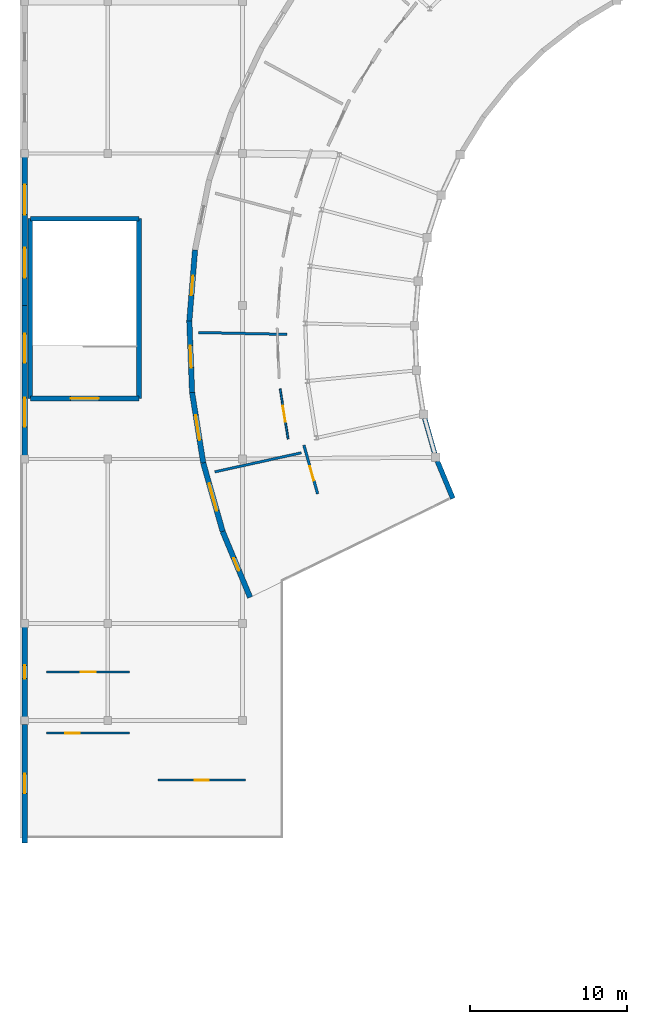
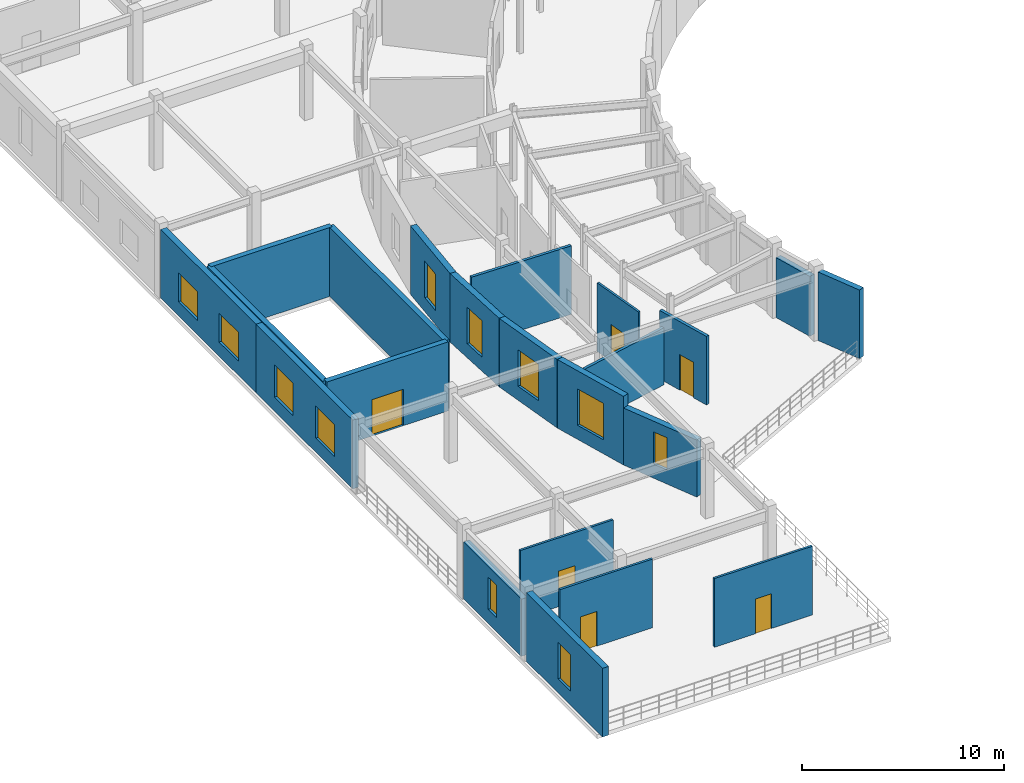
# One storey, part 38 of 60: 22 walls, 11 windows, 6 doors, 17 openings.
"""IFC4 building model written with IfcOpenShell, lengths in metres."""

import ifcopenshell
import ifcopenshell.guid

model = None  # the IFC model being written
_history = None  # IfcOwnerHistory: only IFC2X3 demands one
_inside = {}  # id of a spatial element -> (the spatial element, [elements in it])
_under = {}  # id of a project, library or spatial element -> (it, [spatial elements below it])
_declared = {}  # id of a project -> (the project, [libraries it declares])
_typed = {}  # id of a type object -> (the type object, [elements of that type])
_made_of = {}  # id of a material, layer set ... -> (it, [elements and type objects made of it])


def new_model(schema):
    """Start an empty IFC model of exactly this schema.

    Asked for "IFC4X3", IfcOpenShell would pick the latest addendum, in which some entities
    have other attributes; the version numbers below select the first issue.
    IFC2X3 requires an IfcOwnerHistory on every rooted entity: one is made here for all.
    """
    global model, _history
    if schema == "IFC4X3":
        model = ifcopenshell.file(schema_version=(4, 3, 0, 0))
    else:
        model = ifcopenshell.file(schema=schema)
    _inside.clear()
    _under.clear()
    _declared.clear()
    _typed.clear()
    _made_of.clear()
    _history = None
    if model.schema == "IFC2X3":
        org = make("IfcOrganization", Name="unknown")
        user = make(
            "IfcPersonAndOrganization",
            ThePerson=make("IfcPerson", FamilyName="unknown"),
            TheOrganization=org,
        )
        app = make(
            "IfcApplication",
            ApplicationDeveloper=org,
            Version="unknown",
            ApplicationFullName="unknown",
            ApplicationIdentifier="unknown",
        )
        _history = make(
            "IfcOwnerHistory",
            OwningUser=user,
            OwningApplication=app,
            ChangeAction="ADDED",
            CreationDate=0,
        )
    return model


def make(cls, **values):
    """One entity of the class cls with the attributes given. An attribute that is None is left unset."""
    return model.create_entity(
        cls, **{name: value for name, value in values.items() if value is not None}
    )


def rooted(cls, **values):
    """An entity with a GlobalId (a new one), such as an element, a storey or a relation."""
    return make(cls, GlobalId=ifcopenshell.guid.new(), OwnerHistory=_history, **values)


def si_unit(unit_type, name, prefix=None):
    """IfcSIUnit, for example si_unit("LENGTHUNIT", "METRE", prefix="MILLI")."""
    return make("IfcSIUnit", UnitType=unit_type, Prefix=prefix, Name=name)


def assignment(units):
    """IfcUnitAssignment: the units of a project."""
    return None if units is None else make("IfcUnitAssignment", Units=units)


def point(xyz):
    """IfcCartesianPoint."""
    return None if xyz is None else make("IfcCartesianPoint", Coordinates=xyz)


def direction(xyz):
    """IfcDirection."""
    return None if xyz is None else make("IfcDirection", DirectionRatios=xyz)


def frame(location, z_axis=None, x_axis=None):
    """IfcAxis2Placement3D, a coordinate frame: its origin and axes. An axis left out is left unset."""
    return make(
        "IfcAxis2Placement3D",
        Location=point(location),
        Axis=direction(z_axis),
        RefDirection=direction(x_axis),
    )


def frame_2d(location, x_axis=None):
    """IfcAxis2Placement2D, a coordinate frame in the plane: its origin and x axis."""
    return make(
        "IfcAxis2Placement2D", Location=point(location), RefDirection=direction(x_axis)
    )


def origin():
    """The frame at (0, 0, 0) with its axes left unset."""
    return frame((0.0, 0.0, 0.0))


def place(relative_to, where):
    """IfcLocalPlacement: puts the frame where relative to a parent placement (None: the world)."""
    return make(
        "IfcLocalPlacement", PlacementRelTo=relative_to, RelativePlacement=where
    )


def context(
    kind, dimensions, precision=None, world=None, true_north=None, identifier=None
):
    """IfcGeometricRepresentationContext, for example the 3D "Model" context."""
    return make(
        "IfcGeometricRepresentationContext",
        ContextIdentifier=identifier,
        ContextType=kind,
        CoordinateSpaceDimension=dimensions,
        Precision=precision,
        WorldCoordinateSystem=world,
        TrueNorth=true_north,
    )


def subcontext(parent, identifier, kind, view, scale=None):
    """IfcGeometricRepresentationSubContext, for example "Body" below "Model"."""
    return make(
        "IfcGeometricRepresentationSubContext",
        ContextIdentifier=identifier,
        ContextType=kind,
        ParentContext=parent,
        TargetScale=scale,
        TargetView=view,
    )


def project(units=None, contexts=None):
    """IfcProject with its units and contexts."""
    return rooted(
        "IfcProject",
        Name="project",
        RepresentationContexts=contexts,
        UnitsInContext=assignment(units),
    )


def spatial(cls, under=None, at=None, **own):
    """A site, building, storey or space (cls), placed at a placement, below another one or the project."""
    s = rooted(cls, ObjectPlacement=at, **own)
    if under is not None:
        _under.setdefault(under.id(), (under, []))[1].append(s)
    return s


def profile(cls, at=None, kind="AREA", **sizes):
    """A parametric profile (cls). Its sizes go by their IFC names, for example OverallWidth=200.0."""
    return make(cls, ProfileType=kind, Position=at, **sizes)


def rectangle(**sizes):
    """IfcRectangleProfileDef."""
    return profile("IfcRectangleProfileDef", **sizes)


def extrude(swept, where, along, depth):
    """IfcExtrudedAreaSolid: the profile swept, set in the frame where, extruded along a direction by depth."""
    return make(
        "IfcExtrudedAreaSolid",
        SweptArea=swept,
        Position=where,
        ExtrudedDirection=direction(along),
        Depth=depth,
    )


def shape(context_of_items, identifier, shape_type, items):
    """IfcShapeRepresentation: the items that make up one representation, for example the "Body"."""
    return make(
        "IfcShapeRepresentation",
        ContextOfItems=context_of_items,
        RepresentationIdentifier=identifier,
        RepresentationType=shape_type,
        Items=items,
    )


def material(Name=None, Category=None):
    """IfcMaterial."""
    return make("IfcMaterial", Name=Name, Category=Category)


def layer(
    of_material, thickness, ventilated=None, Name=None, Category=None, Priority=None
):
    """IfcMaterialLayer: one layer of a wall or slab, of a material (None: an air gap)."""
    return make(
        "IfcMaterialLayer",
        Material=of_material,
        LayerThickness=thickness,
        IsVentilated=ventilated,
        Name=Name,
        Category=Category,
        Priority=Priority,
    )


def layer_set(layers, Name=None):
    """IfcMaterialLayerSet."""
    return make("IfcMaterialLayerSet", MaterialLayers=layers, LayerSetName=Name)


def made_of(thing, what):
    """Note that an element or type object is made of a material, layer set ...; save() writes the relation."""
    if what is not None:
        _made_of.setdefault(what.id(), (what, []))[1].append(thing)
    return thing


def type_object(cls, material=None, **own):
    """A type object (cls), such as IfcWallType, which elements share."""
    return made_of(rooted(cls, **own), material)


def element(
    cls,
    number,
    at=None,
    inside=None,
    cuts=None,
    type_object=None,
    material=None,
    context=None,
    identifier="Body",
    shape_type=None,
    held_by="IfcProductDefinitionShape",
    body=None,
    shapes=None,
    **own,
):
    """One element of the class cls, such as IfcWall. Its Tag is "e" and its number.

    at: its placement. inside: the storey or other place that contains it. cuts: it is an
    opening in that element (IfcRelVoidsElement). A single representation is given by context,
    identifier, shape_type and body (its items); several are given by shapes. held_by: the class
    of the entity that holds the representations. save() writes the other relations.
    """
    e = rooted(cls, Tag="e%d" % number, ObjectPlacement=at, **own)
    if body is not None:
        shapes = [shape(context, identifier, shape_type, body)]
    if shapes is not None:
        e.Representation = make(held_by, Representations=shapes)
    if inside is not None:
        _inside.setdefault(inside.id(), (inside, []))[1].append(e)
    if cuts is not None:
        rooted(
            "IfcRelVoidsElement", RelatingBuildingElement=cuts, RelatedOpeningElement=e
        )
    if type_object is not None:
        _typed.setdefault(type_object.id(), (type_object, []))[1].append(e)
    return made_of(e, material)


def fill(opening, filler):
    """IfcRelFillsElement: the door or window that sits in an opening."""
    return rooted(
        "IfcRelFillsElement",
        RelatingOpeningElement=opening,
        RelatedBuildingElement=filler,
    )


def aggregate(whole, parts):
    """IfcRelAggregates: a whole, such as a stair, and the parts it consists of."""
    return rooted("IfcRelAggregates", RelatingObject=whole, RelatedObjects=parts)


def save(model, path):
    """Write the relations noted so far, then the file.

    IfcRelAggregates (storeys below a building ...), IfcRelContainedInSpatialStructure (elements
    in a storey), IfcRelDefinesByType, IfcRelAssociatesMaterial and IfcRelDeclares: one each for
    every whole, place, type object, material and project.
    """
    for whole, parts in _under.values():
        aggregate(whole, parts)
    for where, things in _inside.values():
        rooted(
            "IfcRelContainedInSpatialStructure",
            RelatedElements=things,
            RelatingStructure=where,
        )
    for kind, things in _typed.values():
        rooted("IfcRelDefinesByType", RelatedObjects=things, RelatingType=kind)
    for what, things in _made_of.values():
        rooted("IfcRelAssociatesMaterial", RelatedObjects=things, RelatingMaterial=what)
    for by, libraries in _declared.values():
        rooted("IfcRelDeclares", RelatingContext=by, RelatedDefinitions=libraries)
    model.write(path)


model = new_model("IFC4")

# Units and contexts
model_context = context("Model", 3, precision=1e-05, world=origin(), true_north=direction((0.0, 1.0)))
body_context = subcontext(model_context, "Body", "Model", "MODEL_VIEW")
ifc_project = project(units=[si_unit("LENGTHUNIT", "METRE"), si_unit("AREAUNIT", "SQUARE_METRE"), si_unit("VOLUMEUNIT", "CUBIC_METRE"), si_unit("PLANEANGLEUNIT", "RADIAN"), si_unit("MASSUNIT", "GRAM", prefix="KILO")], contexts=[model_context])

# Site, building, storey
site_placement = place(None, origin())
site = spatial("IfcSite", under=ifc_project, at=site_placement, CompositionType="ELEMENT")
building_placement = place(site_placement, origin())
building = spatial("IfcBuilding", under=site, at=building_placement, Name="Cinderbank Siding Concert Hall", CompositionType="ELEMENT")
storey_placement = place(building_placement, frame((0.0, 0.0, 14.699951171875)))
storey = spatial("IfcBuildingStorey", under=building, at=storey_placement, Name="L04", CompositionType="ELEMENT", Elevation=14.699951171875)

# Wall, opening, door
ifc_material_1 = material(Name="Reinforced concrete AS 3600 N50 (50 MPa)", Category="concrete")
ifc_layer_1 = layer(ifc_material_1, 0.300048828125)
ifc_layer_set_1 = layer_set([ifc_layer_1], Name="Reinforced concrete AS 3600 N50 (50 MPa)")
wall_type_1 = type_object("IfcWallType", Name="WL-03 Structural Wall 300mm", PredefinedType="SHEAR", material=ifc_layer_set_1)
wall_1_placement = place(storey_placement, frame((14.39990234375, 63.860107421875, 0.0), z_axis=(0.0, 0.0, 1.0), x_axis=(-1.0, 0.0, 0.0)))
wall_1 = element("IfcWall", 1, at=wall_1_placement, inside=storey, type_object=wall_type_1, Name="L04 ST-09 Core Wall ENTRY", PredefinedType="SHEAR", context=body_context, shape_type="SweptSolid", body=[
    extrude(rectangle(XDim=6.93994140625, YDim=0.300048828125, at=frame_2d((3.469970703125, 0.0))), origin(), (0.0, 0.0, 1.0), 4.170166015625),
])
opening_1_placement = place(wall_1_placement, frame((2.570068359375, 0.0, 0.0)))
opening_1 = element("IfcOpeningElement", 2, at=opening_1_placement, cuts=wall_1, Name="Opening D-05", PredefinedType="OPENING", context=body_context, shape_type="SweptSolid", body=[
    extrude(rectangle(XDim=1.800048828125, YDim=2.199951171875, at=frame_2d((0.89990234375, 1.10009765625))), frame((0.0, 0.162109375, 0.0), z_axis=(0.0, -1.0, 0.0), x_axis=(1.0, 0.0, 0.0)), (0.0, 0.0, 1.0), 0.323974609375),
])
ifc_material_2 = material(Name="Galvanised sheet steel acoustic fire door assembly", Category="steel")
door_type_1 = type_object("IfcDoorType", Name="D-05 Interior Door 1800x2200", OperationType="DOUBLE_DOOR_SINGLE_SWING", PredefinedType="DOOR", material=ifc_material_2)
door_1_placement = place(opening_1_placement, origin())
door_1 = element("IfcDoor", 3, at=door_1_placement, inside=storey, type_object=door_type_1, Name="L04 ST-09 Fire Stair Door L04-D050", OperationType="DOUBLE_DOOR_SINGLE_SWING", OverallHeight=2.199951171875, OverallWidth=1.800048828125, PredefinedType="DOOR", context=body_context, shape_type="SweptSolid", body=[
    extrude(rectangle(XDim=1.800048828125, YDim=2.199951171875, at=frame_2d((0.89990234375, 1.10009765625))), frame((0.0, 0.02490234375, 0.0), z_axis=(0.0, -1.0, 0.0), x_axis=(1.0, 0.0, 0.0)), (0.0, 0.0, 1.0), 0.050048828125),
])
fill(opening_1, door_1)

# Walls
wall_2_placement = place(storey_placement, frame((7.4599609375, 75.340087890625, 0.0), z_axis=(0.0, 0.0, 1.0), x_axis=(1.0, 0.0, 0.0)))
element("IfcWall", 4, at=wall_2_placement, inside=storey, type_object=wall_type_1, Name="L04 ST-09 Core Wall FAR", PredefinedType="SHEAR", context=body_context, shape_type="SweptSolid", body=[
    extrude(rectangle(XDim=6.93994140625, YDim=0.300048828125, at=frame_2d((3.469970703125, 0.0))), origin(), (0.0, 0.0, 1.0), 4.170166015625),
])
for number, where, z_axis, x_axis, name in (
    (5, (14.39990234375, 75.340087890625, 0.0), (0.0, 0.0, 1.0), (0.0, -1.0, 0.0), "L04 ST-09 Core Wall SIDE1"),
    (6, (7.4599609375, 63.860107421875, 0.0), (0.0, 0.0, 1.0), (0.0, 1.0, 0.0), "L04 ST-09 Core Wall SIDE2"),
):
    element("IfcWall", number, at=place(storey_placement, frame(where, z_axis=z_axis, x_axis=x_axis)), inside=storey, type_object=wall_type_1, Name=name, PredefinedType="SHEAR", context=body_context, shape_type="SweptSolid", body=[
        extrude(rectangle(XDim=11.47998046875, YDim=0.300048828125, at=frame_2d((5.739990234375, 0.0))), origin(), (0.0, 0.0, 1.0), 4.170166015625),
    ])

# Wall, opening, window
ifc_material_3 = material(Name="Clinker clay brickwork masonry AS 3700 (20 MPa)", Category="masonry")
ifc_layer_2 = layer(ifc_material_3, 0.340087890625)
ifc_layer_set_2 = layer_set([ifc_layer_2], Name="Clinker clay brickwork masonry AS 3700 (20 MPa)")
wall_type_2 = type_object("IfcWallType", Name="WL-07 Exterior Wall 340mm", PredefinedType="STANDARD", material=ifc_layer_set_2)
wall_3_placement = place(storey_placement, frame((17.9736328125, 73.34423828125, 0.0), z_axis=(0.0, 0.0, 1.0), x_axis=(-0.080188345633, -0.996779729541, 0.0)))
wall_3 = element("IfcWall", 7, at=wall_3_placement, inside=storey, type_object=wall_type_2, Name="L04 Facade Wall EW-WOUT-L04-11", PredefinedType="STANDARD", context=body_context, shape_type="SweptSolid", body=[
    extrude(rectangle(XDim=4.5546875, YDim=0.340087890625, at=frame_2d((2.27734375, 0.0))), origin(), (0.0, 0.0, 1.0), 4.14501953125),
])
opening_2_placement = place(wall_3_placement, frame((1.65234375, 0.0, 0.85009765625)))
opening_2 = element("IfcOpeningElement", 8, at=opening_2_placement, cuts=wall_3, Name="Opening WN-05", PredefinedType="OPENING", context=body_context, shape_type="SweptSolid", body=[
    extrude(rectangle(XDim=1.25, YDim=2.199951171875, at=frame_2d((0.625, 1.10009765625))), frame((0.0, 0.18212890625, 0.0), z_axis=(0.0, -1.0, 0.0), x_axis=(1.0, 0.0, 0.0)), (0.0, 0.0, 1.0), 0.364013671875),
])
ifc_material_4 = material(Name="Double-glazed laminated acoustic glass", Category="glass")
window_type_1 = type_object("IfcWindowType", Name="WN-05 Acoustic Casement Window 1250x2200", PartitioningType="DOUBLE_PANEL_VERTICAL", PredefinedType="WINDOW", material=ifc_material_4)
window_1_placement = place(opening_2_placement, origin())
window_1 = element("IfcWindow", 9, at=window_1_placement, inside=storey, type_object=window_type_1, Name="L04 Facade Window #51", OverallHeight=2.199951171875, OverallWidth=1.25, PartitioningType="DOUBLE_PANEL_VERTICAL", PredefinedType="WINDOW", context=body_context, shape_type="SweptSolid", body=[
    extrude(rectangle(XDim=1.25, YDim=2.199951171875, at=frame_2d((0.625, 1.10009765625))), frame((0.0, 0.030029296875, 0.0), z_axis=(0.0, -1.0, 0.0), x_axis=(1.0, 0.0, 0.0)), (0.0, 0.0, 1.0), 0.06005859375),
])
fill(opening_2, window_1)

wall_4_placement = place(storey_placement, frame((17.6083984375, 68.80419921875, 0.0), z_axis=(0.0, 0.0, 1.0), x_axis=(0.038377542804, -0.999263310749, 0.0)))
wall_4 = element("IfcWall", 10, at=wall_4_placement, inside=storey, type_object=wall_type_2, Name="L04 Facade Wall EW-WOUT-L04-12", PredefinedType="STANDARD", context=body_context, shape_type="SweptSolid", body=[
    extrude(rectangle(XDim=4.554931640625, YDim=0.340087890625, at=frame_2d((2.27734375, 0.0))), origin(), (0.0, 0.0, 1.0), 4.14501953125),
])
opening_3_placement = place(wall_4_placement, frame((1.577392578125, 0.0, 0.85009765625)))
opening_3 = element("IfcOpeningElement", 11, at=opening_3_placement, cuts=wall_4, Name="Opening WN-06", PredefinedType="OPENING", context=body_context, shape_type="SweptSolid", body=[
    extrude(rectangle(XDim=1.39990234375, YDim=2.199951171875, at=frame_2d((0.699951171875, 1.10009765625))), frame((0.0, 0.18212890625, 0.0), z_axis=(0.0, -1.0, 0.0), x_axis=(1.0, 0.0, 0.0)), (0.0, 0.0, 1.0), 0.364013671875),
])
window_type_2 = type_object("IfcWindowType", Name="WN-06 Acoustic Casement Window 1400x2200", PartitioningType="DOUBLE_PANEL_VERTICAL", PredefinedType="WINDOW", material=ifc_material_4)
window_2_placement = place(opening_3_placement, origin())
window_2 = element("IfcWindow", 12, at=window_2_placement, inside=storey, type_object=window_type_2, Name="L04 Facade Window #52", OverallHeight=2.199951171875, OverallWidth=1.39990234375, PartitioningType="DOUBLE_PANEL_VERTICAL", PredefinedType="WINDOW", context=body_context, shape_type="SweptSolid", body=[
    extrude(rectangle(XDim=1.39990234375, YDim=2.199951171875, at=frame_2d((0.699951171875, 1.10009765625))), frame((0.0, 0.030029296875, 0.0), z_axis=(0.0, -1.0, 0.0), x_axis=(1.0, 0.0, 0.0)), (0.0, 0.0, 1.0), 0.06005859375),
])
fill(opening_3, window_2)

wall_5_placement = place(storey_placement, frame((17.783203125, 64.252685546875, 0.0), z_axis=(0.0, 0.0, 1.0), x_axis=(0.156466273676, -0.987683302077, 0.0)))
wall_5 = element("IfcWall", 13, at=wall_5_placement, inside=storey, type_object=wall_type_2, Name="L04 Facade Wall EW-WOUT-L04-13", PredefinedType="STANDARD", context=body_context, shape_type="SweptSolid", body=[
    extrude(rectangle(XDim=4.5546875, YDim=0.340087890625, at=frame_2d((2.27734375, 0.0))), origin(), (0.0, 0.0, 1.0), 4.14501953125),
])
opening_4_placement = place(wall_5_placement, frame((1.477294921875, 0.0, 0.85009765625)))
opening_4 = element("IfcOpeningElement", 14, at=opening_4_placement, cuts=wall_5, Name="Opening WN-07", PredefinedType="OPENING", context=body_context, shape_type="SweptSolid", body=[
    extrude(rectangle(XDim=1.60009765625, YDim=2.199951171875, at=frame_2d((0.800048828125, 1.10009765625))), frame((0.0, 0.18212890625, 0.0), z_axis=(0.0, -1.0, 0.0), x_axis=(1.0, 0.0, 0.0)), (0.0, 0.0, 1.0), 0.364013671875),
])
window_type_3 = type_object("IfcWindowType", Name="WN-07 Acoustic Casement Window 1600x2200", PartitioningType="DOUBLE_PANEL_VERTICAL", PredefinedType="WINDOW", material=ifc_material_4)
window_3_placement = place(opening_4_placement, origin())
window_3 = element("IfcWindow", 15, at=window_3_placement, inside=storey, type_object=window_type_3, Name="L04 Facade Window #53", OverallHeight=2.199951171875, OverallWidth=1.60009765625, PartitioningType="DOUBLE_PANEL_VERTICAL", PredefinedType="WINDOW", context=body_context, shape_type="SweptSolid", body=[
    extrude(rectangle(XDim=1.60009765625, YDim=2.199951171875, at=frame_2d((0.800048828125, 1.10009765625))), frame((0.0, 0.030029296875, 0.0), z_axis=(0.0, -1.0, 0.0), x_axis=(1.0, 0.0, 0.0)), (0.0, 0.0, 1.0), 0.06005859375),
])
fill(opening_4, window_3)

wall_6_placement = place(storey_placement, frame((18.495849609375, 59.754150390625, 0.0), z_axis=(0.0, 0.0, 1.0), x_axis=(0.272249427892, -0.962226713936, 0.0)))
wall_6 = element("IfcWall", 16, at=wall_6_placement, inside=storey, type_object=wall_type_2, Name="L04 Facade Wall EW-WOUT-L04-14", PredefinedType="STANDARD", context=body_context, shape_type="SweptSolid", body=[
    extrude(rectangle(XDim=4.5546875, YDim=0.340087890625, at=frame_2d((2.27734375, 0.0))), origin(), (0.0, 0.0, 1.0), 4.14501953125),
])
opening_5_placement = place(wall_6_placement, frame((1.37744140625, 0.0, 0.85009765625)))
opening_5 = element("IfcOpeningElement", 17, at=opening_5_placement, cuts=wall_6, Name="Opening WN-08", PredefinedType="OPENING", context=body_context, shape_type="SweptSolid", body=[
    extrude(rectangle(XDim=1.800048828125, YDim=2.199951171875, at=frame_2d((0.89990234375, 1.10009765625))), frame((0.0, 0.18212890625, 0.0), z_axis=(0.0, -1.0, 0.0), x_axis=(1.0, 0.0, 0.0)), (0.0, 0.0, 1.0), 0.364013671875),
])
window_type_4 = type_object("IfcWindowType", Name="WN-08 Acoustic Casement Window 1800x2200", PartitioningType="DOUBLE_PANEL_VERTICAL", PredefinedType="WINDOW", material=ifc_material_4)
window_4_placement = place(opening_5_placement, origin())
window_4 = element("IfcWindow", 18, at=window_4_placement, inside=storey, type_object=window_type_4, Name="L04 Facade Window #54", OverallHeight=2.199951171875, OverallWidth=1.800048828125, PartitioningType="DOUBLE_PANEL_VERTICAL", PredefinedType="WINDOW", context=body_context, shape_type="SweptSolid", body=[
    extrude(rectangle(XDim=1.800048828125, YDim=2.199951171875, at=frame_2d((0.89990234375, 1.10009765625))), frame((0.0, 0.030029296875, 0.0), z_axis=(0.0, -1.0, 0.0), x_axis=(1.0, 0.0, 0.0)), (0.0, 0.0, 1.0), 0.06005859375),
])
fill(opening_5, window_4)

wall_7_placement = place(storey_placement, frame((19.73583984375, 55.37158203125, 0.0), z_axis=(0.0, 0.0, 1.0), x_axis=(0.384310891198, -0.923203736402, 0.0)))
wall_7 = element("IfcWall", 19, at=wall_7_placement, inside=storey, type_object=wall_type_2, Name="L04 Facade Wall EW-WOUT-L04-15", PredefinedType="STANDARD", context=body_context, shape_type="SweptSolid", body=[
    extrude(rectangle(XDim=4.554931640625, YDim=0.340087890625, at=frame_2d((2.27734375, 0.0))), origin(), (0.0, 0.0, 1.0), 3.447021484375),
])
opening_6_placement = place(wall_7_placement, frame((1.852294921875, 0.0, 0.85009765625)))
opening_6 = element("IfcOpeningElement", 20, at=opening_6_placement, cuts=wall_7, Name="Opening WN-09", PredefinedType="OPENING", context=body_context, shape_type="SweptSolid", body=[
    extrude(rectangle(XDim=0.85009765625, YDim=1.949951171875, at=frame_2d((0.425048828125, 0.97509765625))), frame((0.0, 0.18212890625, 0.0), z_axis=(0.0, -1.0, 0.0), x_axis=(1.0, 0.0, 0.0)), (0.0, 0.0, 1.0), 0.364013671875),
])
window_type_5 = type_object("IfcWindowType", Name="WN-09 Acoustic Casement Window 850x1950", PartitioningType="DOUBLE_PANEL_VERTICAL", PredefinedType="WINDOW", material=ifc_material_4)
window_5_placement = place(opening_6_placement, origin())
window_5 = element("IfcWindow", 21, at=window_5_placement, inside=storey, type_object=window_type_5, Name="L04 Facade Window #55", OverallHeight=1.949951171875, OverallWidth=0.85009765625, PartitioningType="DOUBLE_PANEL_VERTICAL", PredefinedType="WINDOW", context=body_context, shape_type="SweptSolid", body=[
    extrude(rectangle(XDim=0.85009765625, YDim=1.949951171875, at=frame_2d((0.425048828125, 0.97509765625))), frame((0.0, 0.030029296875, 0.0), z_axis=(0.0, -1.0, 0.0), x_axis=(1.0, 0.0, 0.0)), (0.0, 0.0, 1.0), 0.06005859375),
])
fill(opening_6, window_5)

wall_8_placement = place(storey_placement, frame((7.10009765625, 35.5, 0.0), z_axis=(0.0, 0.0, 1.0), x_axis=(0.0, 1.0, 0.0)))
wall_8 = element("IfcWall", 22, at=wall_8_placement, inside=storey, type_object=wall_type_2, Name="L04 Facade Wall EW-WL-W0-L04", PredefinedType="STANDARD", context=body_context, shape_type="SweptSolid", body=[
    extrude(rectangle(XDim=7.56494140625, YDim=0.340087890625, at=frame_2d((3.782470703125, 0.0))), origin(), (0.0, 0.0, 1.0), 4.155029296875),
])
opening_7_placement = place(wall_8_placement, frame((3.157470703125, 0.0, 0.85009765625)))
opening_7 = element("IfcOpeningElement", 23, at=opening_7_placement, cuts=wall_8, Name="Opening WN-05", PredefinedType="OPENING", context=body_context, shape_type="SweptSolid", body=[
    extrude(rectangle(XDim=1.25, YDim=2.199951171875, at=frame_2d((0.625, 1.10009765625))), frame((0.0, 0.18212890625, 0.0), z_axis=(0.0, -1.0, 0.0), x_axis=(1.0, 0.0, 0.0)), (0.0, 0.0, 1.0), 0.364013671875),
])
window_6_placement = place(opening_7_placement, origin())
window_6 = element("IfcWindow", 24, at=window_6_placement, inside=storey, type_object=window_type_1, Name="L04 Facade Window #83", OverallHeight=2.199951171875, OverallWidth=1.25, PartitioningType="DOUBLE_PANEL_VERTICAL", PredefinedType="WINDOW", context=body_context, shape_type="SweptSolid", body=[
    extrude(rectangle(XDim=1.25, YDim=2.199951171875, at=frame_2d((0.625, 1.10009765625))), frame((0.0, 0.030029296875, 0.0), z_axis=(0.0, -1.0, 0.0), x_axis=(1.0, 0.0, 0.0)), (0.0, 0.0, 1.0), 0.06005859375),
])
fill(opening_7, window_6)

wall_9_placement = place(storey_placement, frame((7.10009765625, 43.534912109375, 0.0), z_axis=(0.0, 0.0, 1.0), x_axis=(0.0, 1.0, 0.0)))
wall_9 = element("IfcWall", 25, at=wall_9_placement, inside=storey, type_object=wall_type_2, Name="L04 Facade Wall EW-WL-W1-L04", PredefinedType="STANDARD", context=body_context, shape_type="SweptSolid", body=[
    extrude(rectangle(XDim=5.72998046875, YDim=0.340087890625, at=frame_2d((2.864990234375, 0.0))), origin(), (0.0, 0.0, 1.0), 3.45703125),
])
opening_8_placement = place(wall_9_placement, frame((2.43994140625, 0.0, 0.85009765625)))
opening_8 = element("IfcOpeningElement", 26, at=opening_8_placement, cuts=wall_9, Name="Opening WN-09", PredefinedType="OPENING", context=body_context, shape_type="SweptSolid", body=[
    extrude(rectangle(XDim=0.85009765625, YDim=1.949951171875, at=frame_2d((0.425048828125, 0.97509765625))), frame((0.0, 0.18212890625, 0.0), z_axis=(0.0, -1.0, 0.0), x_axis=(1.0, 0.0, 0.0)), (0.0, 0.0, 1.0), 0.364013671875),
])
window_7_placement = place(opening_8_placement, origin())
window_7 = element("IfcWindow", 27, at=window_7_placement, inside=storey, type_object=window_type_5, Name="L04 Facade Window #87", OverallHeight=1.949951171875, OverallWidth=0.85009765625, PartitioningType="DOUBLE_PANEL_VERTICAL", PredefinedType="WINDOW", context=body_context, shape_type="SweptSolid", body=[
    extrude(rectangle(XDim=0.85009765625, YDim=1.949951171875, at=frame_2d((0.425048828125, 0.97509765625))), frame((0.0, 0.030029296875, 0.0), z_axis=(0.0, -1.0, 0.0), x_axis=(1.0, 0.0, 0.0)), (0.0, 0.0, 1.0), 0.06005859375),
])
fill(opening_8, window_7)

# Wall, openings, windows
wall_10_placement = place(storey_placement, frame((7.10009765625, 60.235107421875, 0.0), z_axis=(0.0, 0.0, 1.0), x_axis=(0.0, 1.0, 0.0)))
wall_10 = element("IfcWall", 28, at=wall_10_placement, inside=storey, type_object=wall_type_2, Name="L04 Facade Wall EW-WL-W2-L04", PredefinedType="STANDARD", context=body_context, shape_type="SweptSolid", body=[
    extrude(rectangle(XDim=9.56494140625, YDim=0.340087890625, at=frame_2d((4.782470703125, 0.0))), origin(), (0.0, 0.0, 1.0), 4.155029296875),
])
opening_9_placement = place(wall_10_placement, frame((1.816162109375, 0.0, 0.85009765625)))
opening_9 = element("IfcOpeningElement", 29, at=opening_9_placement, cuts=wall_10, Name="Opening WN-16", PredefinedType="OPENING", context=body_context, shape_type="SweptSolid", body=[
    extrude(rectangle(XDim=1.85009765625, YDim=1.949951171875, at=frame_2d((0.925048828125, 0.97509765625))), frame((0.0, 0.18212890625, 0.0), z_axis=(0.0, -1.0, 0.0), x_axis=(1.0, 0.0, 0.0)), (0.0, 0.0, 1.0), 0.364013671875),
])
opening_10_placement = place(wall_10_placement, frame((5.898681640625, 0.0, 0.85009765625)))
opening_10 = element("IfcOpeningElement", 30, at=opening_10_placement, cuts=wall_10, Name="Opening WN-16", PredefinedType="OPENING", context=body_context, shape_type="SweptSolid", body=[
    extrude(rectangle(XDim=1.85009765625, YDim=1.949951171875, at=frame_2d((0.925048828125, 0.97509765625))), frame((0.0, 0.18212890625, 0.0), z_axis=(0.0, -1.0, 0.0), x_axis=(1.0, 0.0, 0.0)), (0.0, 0.0, 1.0), 0.364013671875),
])
window_type_6 = type_object("IfcWindowType", Name="WN-16 Acoustic Casement Window 1850x1950", PartitioningType="DOUBLE_PANEL_VERTICAL", PredefinedType="WINDOW", material=ifc_material_4)
window_8_placement = place(opening_9_placement, origin())
window_8 = element("IfcWindow", 31, at=window_8_placement, inside=storey, type_object=window_type_6, Name="L04 Facade Window #94", OverallHeight=1.949951171875, OverallWidth=1.85009765625, PartitioningType="DOUBLE_PANEL_VERTICAL", PredefinedType="WINDOW", context=body_context, shape_type="SweptSolid", body=[
    extrude(rectangle(XDim=1.85009765625, YDim=1.949951171875, at=frame_2d((0.925048828125, 0.97509765625))), frame((0.0, 0.030029296875, 0.0), z_axis=(0.0, -1.0, 0.0), x_axis=(1.0, 0.0, 0.0)), (0.0, 0.0, 1.0), 0.06005859375),
])
fill(opening_9, window_8)
window_9_placement = place(opening_10_placement, origin())
window_9 = element("IfcWindow", 32, at=window_9_placement, inside=storey, type_object=window_type_6, Name="L04 Facade Window #95", OverallHeight=1.949951171875, OverallWidth=1.85009765625, PartitioningType="DOUBLE_PANEL_VERTICAL", PredefinedType="WINDOW", context=body_context, shape_type="SweptSolid", body=[
    extrude(rectangle(XDim=1.85009765625, YDim=1.949951171875, at=frame_2d((0.925048828125, 0.97509765625))), frame((0.0, 0.030029296875, 0.0), z_axis=(0.0, -1.0, 0.0), x_axis=(1.0, 0.0, 0.0)), (0.0, 0.0, 1.0), 0.06005859375),
])
fill(opening_10, window_9)

wall_11_placement = place(storey_placement, frame((7.10009765625, 69.800048828125, 0.0), z_axis=(0.0, 0.0, 1.0), x_axis=(0.0, 1.0, 0.0)))
wall_11 = element("IfcWall", 33, at=wall_11_placement, inside=storey, type_object=wall_type_2, Name="L04 Facade Wall EW-WL-W3-L04", PredefinedType="STANDARD", context=body_context, shape_type="SweptSolid", body=[
    extrude(rectangle(XDim=9.46484375, YDim=0.340087890625, at=frame_2d((4.732421875, 0.0))), origin(), (0.0, 0.0, 1.0), 4.155029296875),
])
opening_11_placement = place(wall_11_placement, frame((1.75634765625, 0.0, 0.85009765625)))
opening_11 = element("IfcOpeningElement", 34, at=opening_11_placement, cuts=wall_11, Name="Opening WN-24", PredefinedType="OPENING", context=body_context, shape_type="SweptSolid", body=[
    extrude(rectangle(XDim=1.919921875, YDim=1.75, at=frame_2d((0.9599609375, 0.875))), frame((0.0, 0.18212890625, 0.0), z_axis=(0.0, -1.0, 0.0), x_axis=(1.0, 0.0, 0.0)), (0.0, 0.0, 1.0), 0.364013671875),
])
opening_12_placement = place(wall_11_placement, frame((5.788818359375, 0.0, 0.85009765625)))
opening_12 = element("IfcOpeningElement", 35, at=opening_12_placement, cuts=wall_11, Name="Opening WN-24", PredefinedType="OPENING", context=body_context, shape_type="SweptSolid", body=[
    extrude(rectangle(XDim=1.919921875, YDim=1.75, at=frame_2d((0.9599609375, 0.875))), frame((0.0, 0.18212890625, 0.0), z_axis=(0.0, -1.0, 0.0), x_axis=(1.0, 0.0, 0.0)), (0.0, 0.0, 1.0), 0.364013671875),
])
window_type_7 = type_object("IfcWindowType", Name="WN-24 Acoustic Casement Window 1920x1750", PartitioningType="DOUBLE_PANEL_VERTICAL", PredefinedType="WINDOW", material=ifc_material_4)
window_10_placement = place(opening_11_placement, origin())
window_10 = element("IfcWindow", 36, at=window_10_placement, inside=storey, type_object=window_type_7, Name="L04 Facade Window #102", OverallHeight=1.75, OverallWidth=1.919921875, PartitioningType="DOUBLE_PANEL_VERTICAL", PredefinedType="WINDOW", context=body_context, shape_type="SweptSolid", body=[
    extrude(rectangle(XDim=1.919921875, YDim=1.75, at=frame_2d((0.9599609375, 0.875))), frame((0.0, 0.030029296875, 0.0), z_axis=(0.0, -1.0, 0.0), x_axis=(1.0, 0.0, 0.0)), (0.0, 0.0, 1.0), 0.06005859375),
])
fill(opening_11, window_10)
window_11_placement = place(opening_12_placement, origin())
window_11 = element("IfcWindow", 37, at=window_11_placement, inside=storey, type_object=window_type_7, Name="L04 Facade Window #103", OverallHeight=1.75, OverallWidth=1.919921875, PartitioningType="DOUBLE_PANEL_VERTICAL", PredefinedType="WINDOW", context=body_context, shape_type="SweptSolid", body=[
    extrude(rectangle(XDim=1.919921875, YDim=1.75, at=frame_2d((0.9599609375, 0.875))), frame((0.0, 0.030029296875, 0.0), z_axis=(0.0, -1.0, 0.0), x_axis=(1.0, 0.0, 0.0)), (0.0, 0.0, 1.0), 0.06005859375),
])
fill(opening_12, window_11)

# Walls
ifc_layer_3 = layer(ifc_material_3, 0.31005859375)
ifc_layer_set_3 = layer_set([ifc_layer_3], Name="Clinker clay brickwork masonry AS 3700 (20 MPa)")
wall_type_3 = type_object("IfcWallType", Name="WL-08 Exterior Wall 310mm", PredefinedType="STANDARD", material=ifc_layer_set_3)
wall_12_placement = place(storey_placement, frame((32.630615234375, 62.59619140625, 0.0), z_axis=(0.0, 0.0, 1.0), x_axis=(0.272294970683, -0.962213827037, 0.0)))
element("IfcWall", 38, at=wall_12_placement, inside=storey, type_object=wall_type_3, Name="L04 Facade Wall EW-WIN-L04-14", PredefinedType="STANDARD", context=body_context, shape_type="SweptSolid", body=[
    extrude(rectangle(XDim=2.32666015625, YDim=0.31005859375, at=frame_2d((1.163330078125, 0.0))), origin(), (0.0, 0.0, 1.0), 3.626953125),
])
wall_13_placement = place(storey_placement, frame((33.434814453125, 59.8671875, 0.0), z_axis=(0.0, 0.0, 1.0), x_axis=(0.384307099026, -0.923205314997, 0.0)))
element("IfcWall", 39, at=wall_13_placement, inside=storey, type_object=wall_type_3, Name="L04 Facade Wall EW-WIN-L04-15", PredefinedType="STANDARD", context=body_context, shape_type="SweptSolid", body=[
    extrude(rectangle(XDim=2.5869140625, YDim=0.31005859375, at=frame_2d((1.29345703125, 0.0))), origin(), (0.0, 0.0, 1.0), 4.14501953125),
])
ifc_material_5 = material(Name="Acoustic plasterboard on light-gauge steel studs", Category="gypsum")
ifc_layer_4 = layer(ifc_material_5, 0.159912109375)
ifc_layer_set_4 = layer_set([ifc_layer_4], Name="Acoustic plasterboard on light-gauge steel studs")
wall_type_4 = type_object("IfcWallType", Name="WL-14 Interior Wall 160mm", PredefinedType="PARTITIONING", material=ifc_layer_set_4)
wall_14_placement = place(storey_placement, frame((23.842041015625, 67.953369140625, 0.0), z_axis=(0.0, 0.0, 1.0), x_axis=(-0.999780386636, 0.020956586028, 0.0)))
element("IfcWall", 40, at=wall_14_placement, inside=storey, type_object=wall_type_4, Name="L04 Radial Studio Demising Wall W12", PredefinedType="PARTITIONING", context=body_context, shape_type="SweptSolid", body=[
    extrude(rectangle(XDim=5.650146484375, YDim=0.159912109375, at=frame_2d((2.8251953125, 0.0))), origin(), (0.0, 0.0, 1.0), 4.14501953125),
])
wall_15_placement = place(storey_placement, frame((24.754638671875, 60.39306640625, 0.0), z_axis=(0.0, 0.0, 1.0), x_axis=(-0.976668579504, -0.214752149721, 0.0)))
element("IfcWall", 41, at=wall_15_placement, inside=storey, type_object=wall_type_4, Name="L04 Radial Studio Demising Wall W14", PredefinedType="PARTITIONING", context=body_context, shape_type="SweptSolid", body=[
    extrude(rectangle(XDim=5.650146484375, YDim=0.159912109375, at=frame_2d((2.8251953125, 0.0))), origin(), (0.0, 0.0, 1.0), 3.447021484375),
])

# Wall, opening, door
ifc_layer_5 = layer(ifc_material_5, 0.1298828125)
ifc_layer_set_5 = layer_set([ifc_layer_5], Name="Acoustic plasterboard on light-gauge steel studs")
wall_type_5 = type_object("IfcWallType", Name="WL-17 Interior Wall 130mm", PredefinedType="PARTITIONING", material=ifc_layer_set_5)
wall_16_placement = place(storey_placement, frame((8.5, 42.5, 0.0), z_axis=(0.0, 0.0, 1.0), x_axis=(1.0, 0.0, 0.0)))
wall_16 = element("IfcWall", 42, at=wall_16_placement, inside=storey, type_object=wall_type_5, Name="L04 Partition L04 Male WC", PredefinedType="PARTITIONING", context=body_context, shape_type="SweptSolid", body=[
    extrude(rectangle(XDim=5.300048828125, YDim=0.1298828125, at=frame_2d((2.64990234375, 0.0))), origin(), (0.0, 0.0, 1.0), 4.155029296875),
])
opening_13_placement = place(wall_16_placement, frame((1.18994140625, 0.0, 0.0)))
opening_13 = element("IfcOpeningElement", 43, at=opening_13_placement, cuts=wall_16, Name="Opening D-09", PredefinedType="OPENING", context=body_context, shape_type="SweptSolid", body=[
    extrude(rectangle(XDim=0.919921875, YDim=2.10009765625, at=frame_2d((0.4599609375, 1.050048828125))), frame((0.0, 0.076904296875, 0.0), z_axis=(0.0, -1.0, 0.0), x_axis=(1.0, 0.0, 0.0)), (0.0, 0.0, 1.0), 0.15380859375),
])
ifc_material_6 = material(Name="Solid-core spotted gum acoustic timber", Category="wood")
door_type_2 = type_object("IfcDoorType", Name="D-09 Interior Door 920x2100", OperationType="NOTDEFINED", PredefinedType="DOOR", material=ifc_material_6)
door_2_placement = place(opening_13_placement, origin())
door_2 = element("IfcDoor", 44, at=door_2_placement, inside=storey, type_object=door_type_2, Name="L04 L04 Male WC Door L04-D282", OperationType="SINGLE_SWING_RIGHT", OverallHeight=2.10009765625, OverallWidth=0.919921875, PredefinedType="DOOR", context=body_context, shape_type="SweptSolid", body=[
    extrude(rectangle(XDim=0.919921875, YDim=2.10009765625, at=frame_2d((0.4599609375, 1.050048828125))), frame((0.0, 0.02490234375, 0.0), z_axis=(0.0, -1.0, 0.0), x_axis=(1.0, 0.0, 0.0)), (0.0, 0.0, 1.0), 0.050048828125),
])
fill(opening_13, door_2)

wall_17_placement = place(storey_placement, frame((15.60009765625, 39.5, 0.0), z_axis=(0.0, 0.0, 1.0), x_axis=(1.0, 0.0, 0.0)))
wall_17 = element("IfcWall", 45, at=wall_17_placement, inside=storey, type_object=wall_type_5, Name="L04 Partition L04 Female WC", PredefinedType="PARTITIONING", context=body_context, shape_type="SweptSolid", body=[
    extrude(rectangle(XDim=5.599853515625, YDim=0.1298828125, at=frame_2d((2.7998046875, 0.0))), origin(), (0.0, 0.0, 1.0), 4.155029296875),
])
opening_14_placement = place(wall_17_placement, frame((2.340087890625, 0.0, 0.0)))
opening_14 = element("IfcOpeningElement", 46, at=opening_14_placement, cuts=wall_17, Name="Opening D-09", PredefinedType="OPENING", context=body_context, shape_type="SweptSolid", body=[
    extrude(rectangle(XDim=0.919921875, YDim=2.10009765625, at=frame_2d((0.4599609375, 1.050048828125))), frame((0.0, 0.076904296875, 0.0), z_axis=(0.0, -1.0, 0.0), x_axis=(1.0, 0.0, 0.0)), (0.0, 0.0, 1.0), 0.15380859375),
])
door_3_placement = place(opening_14_placement, origin())
door_3 = element("IfcDoor", 47, at=door_3_placement, inside=storey, type_object=door_type_2, Name="L04 L04 Female WC Door L04-D283", OperationType="SINGLE_SWING_LEFT", OverallHeight=2.10009765625, OverallWidth=0.919921875, PredefinedType="DOOR", context=body_context, shape_type="SweptSolid", body=[
    extrude(rectangle(XDim=0.919921875, YDim=2.10009765625, at=frame_2d((0.4599609375, 1.050048828125))), frame((0.0, 0.02490234375, 0.0), z_axis=(0.0, -1.0, 0.0), x_axis=(1.0, 0.0, 0.0)), (0.0, 0.0, 1.0), 0.050048828125),
])
fill(opening_14, door_3)

wall_18_placement = place(storey_placement, frame((8.5, 46.39990234375, 0.0), z_axis=(0.0, 0.0, 1.0), x_axis=(1.0, 0.0, 0.0)))
wall_18 = element("IfcWall", 48, at=wall_18_placement, inside=storey, type_object=wall_type_5, Name="L04 Partition L04 Accessible WC", PredefinedType="PARTITIONING", context=body_context, shape_type="SweptSolid", body=[
    extrude(rectangle(XDim=5.300048828125, YDim=0.1298828125, at=frame_2d((2.64990234375, 0.0))), origin(), (0.0, 0.0, 1.0), 4.155029296875),
])
opening_15_placement = place(wall_18_placement, frame((2.175048828125, 0.0, 0.0)))
opening_15 = element("IfcOpeningElement", 49, at=opening_15_placement, cuts=wall_18, Name="Opening D-01", PredefinedType="OPENING", context=body_context, shape_type="SweptSolid", body=[
    extrude(rectangle(XDim=0.949951171875, YDim=2.14990234375, at=frame_2d((0.47509765625, 1.074951171875))), frame((0.0, 0.076904296875, 0.0), z_axis=(0.0, -1.0, 0.0), x_axis=(1.0, 0.0, 0.0)), (0.0, 0.0, 1.0), 0.15380859375),
])
door_type_3 = type_object("IfcDoorType", Name="D-01 Interior Door 950x2150", OperationType="NOTDEFINED", PredefinedType="DOOR", material=ifc_material_6)
door_4_placement = place(opening_15_placement, origin())
door_4 = element("IfcDoor", 50, at=door_4_placement, inside=storey, type_object=door_type_3, Name="L04 L04 Accessible WC Door L04-D284", OperationType="SINGLE_SWING_RIGHT", OverallHeight=2.14990234375, OverallWidth=0.949951171875, PredefinedType="DOOR", context=body_context, shape_type="SweptSolid", body=[
    extrude(rectangle(XDim=0.949951171875, YDim=2.14990234375, at=frame_2d((0.47509765625, 1.074951171875))), frame((0.0, 0.02490234375, 0.0), z_axis=(0.0, -1.0, 0.0), x_axis=(1.0, 0.0, 0.0)), (0.0, 0.0, 1.0), 0.050048828125),
])
fill(opening_15, door_4)

ifc_layer_6 = layer(ifc_material_5, 0.1201171875)
ifc_layer_set_6 = layer_set([ifc_layer_6], Name="Acoustic plasterboard on light-gauge steel studs")
wall_type_6 = type_object("IfcWallType", Name="WL-18 Interior Wall 120mm", PredefinedType="PARTITIONING", material=ifc_layer_set_6)
wall_19_placement = place(storey_placement, frame((23.404541015625, 64.47607421875, 0.0), z_axis=(0.0, 0.0, 1.0), x_axis=(0.156419556763, -0.987690701719, 0.0)))
wall_19 = element("IfcWall", 51, at=wall_19_placement, inside=storey, type_object=wall_type_6, Name="L04 Partition Studio Bay W13", PredefinedType="PARTITIONING", context=body_context, shape_type="SweptSolid", body=[
    extrude(rectangle(XDim=3.237060546875, YDim=0.1201171875, at=frame_2d((1.61865234375, 0.0))), origin(), (0.0, 0.0, 1.0), 4.14501953125),
])
opening_16_placement = place(wall_19_placement, frame((1.1083984375, 0.0, 0.0)))
opening_16 = element("IfcOpeningElement", 52, at=opening_16_placement, cuts=wall_19, Name="Opening D-17", PredefinedType="OPENING", context=body_context, shape_type="SweptSolid", body=[
    extrude(rectangle(XDim=1.02001953125, YDim=2.219970703125, at=frame_2d((0.510009765625, 1.10986328125))), frame((0.0, 0.072021484375, 0.0), z_axis=(0.0, -1.0, 0.0), x_axis=(1.0, 0.0, 0.0)), (0.0, 0.0, 1.0), 0.14404296875),
])
door_type_4 = type_object("IfcDoorType", Name="D-17 Interior Door 1020x2220", OperationType="NOTDEFINED", PredefinedType="DOOR", material=ifc_material_6)
door_5_placement = place(opening_16_placement, origin())
door_5 = element("IfcDoor", 53, at=door_5_placement, inside=storey, type_object=door_type_4, Name="L04 Studio Bay W13 Door L04-D233", OperationType="SINGLE_SWING_RIGHT", OverallHeight=2.219970703125, OverallWidth=1.02001953125, PredefinedType="DOOR", context=body_context, shape_type="SweptSolid", body=[
    extrude(rectangle(XDim=1.02001953125, YDim=2.219970703125, at=frame_2d((0.510009765625, 1.10986328125))), frame((0.0, 0.02490234375, 0.0), z_axis=(0.0, -1.0, 0.0), x_axis=(1.0, 0.0, 0.0)), (0.0, 0.0, 1.0), 0.050048828125),
])
fill(opening_16, door_5)

ifc_layer_7 = layer(ifc_material_5, 0.169921875)
ifc_layer_set_7 = layer_set([ifc_layer_7], Name="Acoustic plasterboard on light-gauge steel studs")
wall_type_7 = type_object("IfcWallType", Name="WL-19 Interior Wall 170mm", PredefinedType="PARTITIONING", material=ifc_layer_set_7)
wall_20_placement = place(storey_placement, frame((24.9169921875, 60.886474609375, 0.0), z_axis=(0.0, 0.0, 1.0), x_axis=(0.272269765162, -0.96222095954, 0.0)))
wall_20 = element("IfcWall", 54, at=wall_20_placement, inside=storey, type_object=wall_type_7, Name="L04 Partition Studio Bay W14", PredefinedType="PARTITIONING", context=body_context, shape_type="SweptSolid", body=[
    extrude(rectangle(XDim=3.237060546875, YDim=0.169921875, at=frame_2d((1.61865234375, 0.0))), origin(), (0.0, 0.0, 1.0), 4.14501953125),
])
opening_17_placement = place(wall_20_placement, frame((1.3935546875, 0.0, 0.0)))
opening_17 = element("IfcOpeningElement", 55, at=opening_17_placement, cuts=wall_20, Name="Opening D-01", PredefinedType="OPENING", context=body_context, shape_type="SweptSolid", body=[
    extrude(rectangle(XDim=0.949951171875, YDim=2.14990234375, at=frame_2d((0.47509765625, 1.074951171875))), frame((0.0, 0.096923828125, 0.0), z_axis=(0.0, -1.0, 0.0), x_axis=(1.0, 0.0, 0.0)), (0.0, 0.0, 1.0), 0.19384765625),
])
door_6_placement = place(opening_17_placement, origin())
door_6 = element("IfcDoor", 56, at=door_6_placement, inside=storey, type_object=door_type_3, Name="L04 Studio Bay W14 Door L04-D234", OperationType="SINGLE_SWING_LEFT", OverallHeight=2.14990234375, OverallWidth=0.949951171875, PredefinedType="DOOR", context=body_context, shape_type="SweptSolid", body=[
    extrude(rectangle(XDim=0.949951171875, YDim=2.14990234375, at=frame_2d((0.47509765625, 1.074951171875))), frame((0.0, 0.02490234375, 0.0), z_axis=(0.0, -1.0, 0.0), x_axis=(1.0, 0.0, 0.0)), (0.0, 0.0, 1.0), 0.050048828125),
])
fill(opening_17, door_6)

save(model, "model.ifc")
